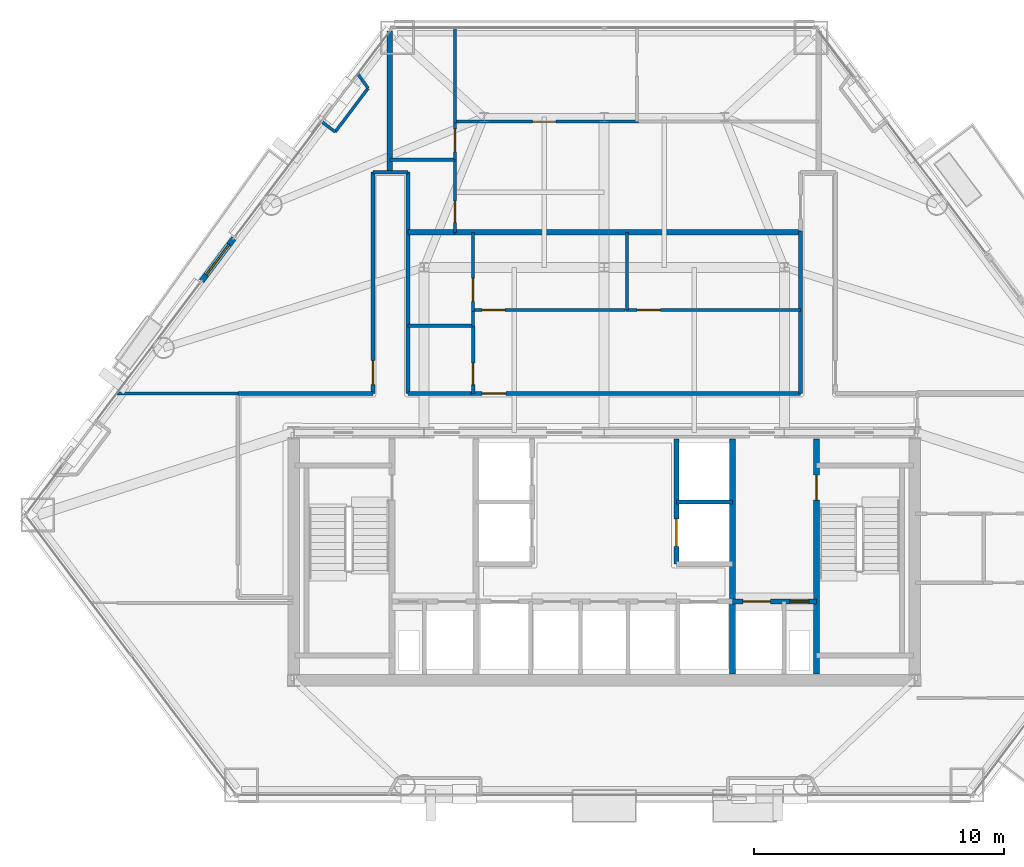
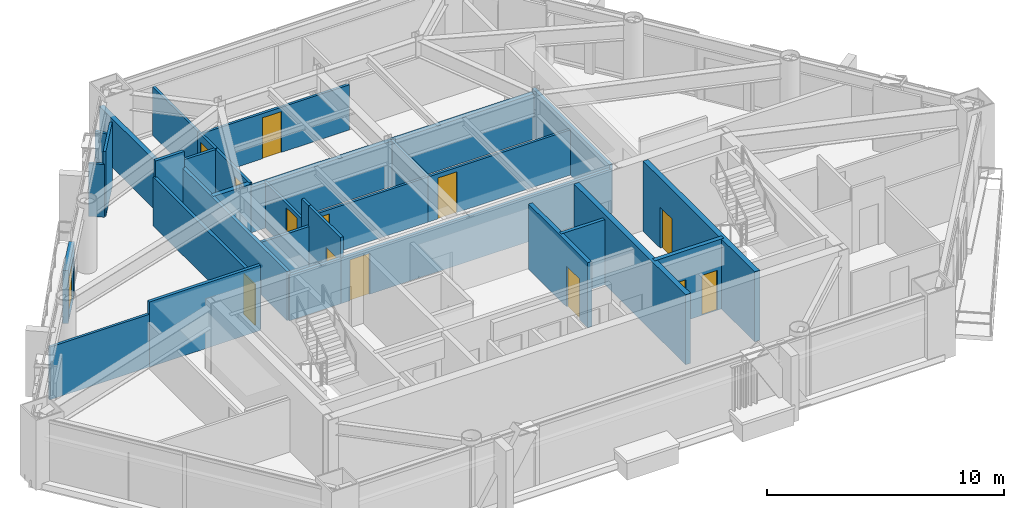
# One storey, part 7 of 11: 32 walls, 14 doors, 14 openings.
"""IFC4 building model written with IfcOpenShell, lengths in metres."""

from ifc_helpers import new_model, si_unit, direction, frame, frame_2d, origin, place, context, subcontext, project, spatial, rectangle, extrude, material, layer, layer_set, type_object, element, fill, save


model = new_model("IFC4")

# Units and contexts
model_context = context("Model", 3, precision=1e-05, world=origin(), true_north=direction((0.0, 1.0)))
body_context = subcontext(model_context, "Body", "Model", "MODEL_VIEW")
ifc_project = project(units=[si_unit("LENGTHUNIT", "METRE"), si_unit("AREAUNIT", "SQUARE_METRE"), si_unit("VOLUMEUNIT", "CUBIC_METRE"), si_unit("PLANEANGLEUNIT", "RADIAN"), si_unit("MASSUNIT", "GRAM", prefix="KILO")], contexts=[model_context])

# Site, building, storey
site_placement = place(None, origin())
site = spatial("IfcSite", under=ifc_project, at=site_placement, CompositionType="ELEMENT")
building_placement = place(site_placement, origin())
building = spatial("IfcBuilding", under=site, at=building_placement, Name="Talgorran Terracotta Tower", CompositionType="ELEMENT")
storey_placement = place(building_placement, frame((0.0, 0.0, 27.89990234375)))
storey = spatial("IfcBuildingStorey", under=building, at=storey_placement, Name="L06", CompositionType="ELEMENT", Elevation=27.89990234375)

# Wall, opening, door
ifc_material_1 = material(Name="Concrete C40/50", Category="concrete")
ifc_layer_1 = layer(ifc_material_1, 0.239990234375, Name="WT_BALCONY_SPAND")
ifc_layer_set_1 = layer_set([ifc_layer_1], Name="Concrete C40/50")
wall_type_1 = type_object("IfcWallType", Name="WT_BALCONY_SPAND", PredefinedType="STANDARD", material=ifc_layer_set_1)
wall_1_placement = place(storey_placement, frame((-14.799560546875, 3.560791015625, -0.014892578125), z_axis=(0.0, 0.0, 1.0), x_axis=(-0.601823875366, -0.798628839349, 0.0)))
wall_1 = element("IfcWall", 1, at=wall_1_placement, inside=storey, type_object=wall_type_1, Name="WL-L06-BALP-BAL-NW", PredefinedType="STANDARD", context=body_context, shape_type="SweptSolid", body=[
    extrude(rectangle(XDim=2.139892578125, YDim=0.239990234375, at=frame_2d((1.06982421875, 0.0))), origin(), (0.0, 0.0, 1.0), 2.728271484375),
])
opening_1_placement = place(wall_1_placement, frame((0.320068359375, 0.0, 0.014892578125)))
opening_1 = element("IfcOpeningElement", 2, at=opening_1_placement, cuts=wall_1, Name="Opening D-BAL-L06-2", PredefinedType="OPENING", context=body_context, shape_type="SweptSolid", body=[
    extrude(rectangle(XDim=1.506, YDim=2.203951171875, at=frame_2d((0.75, 1.10205078125))), frame((0.0, 0.1298828125, 0.0), z_axis=(0.0, -1.0, 0.0), x_axis=(1.0, 0.0, 0.0)), (0.0, 0.0, 1.0), 0.260009765625),
])
ifc_material_2 = material(Name="Thermally Broken Aluminium", Category="aluminium")
door_type_1 = type_object("IfcDoorType", Name="DT_BALC_1500", OperationType="SLIDING_TO_RIGHT", PredefinedType="DOOR", material=ifc_material_2)
door_1_placement = place(opening_1_placement, origin())
door_1 = element("IfcDoor", 3, at=door_1_placement, inside=storey, type_object=door_type_1, Name="DR-L06-BAL-BAL-NW", OperationType="SLIDING_TO_RIGHT", OverallHeight=2.199951171875, OverallWidth=1.5, PredefinedType="DOOR", context=body_context, shape_type="SweptSolid", body=[
    extrude(rectangle(XDim=1.5, YDim=2.199951171875, at=frame_2d((0.75, 1.10009765625))), frame((0.0, 0.02490234375, 0.0), z_axis=(0.0, -1.0, 0.0), x_axis=(1.0, 0.0, 0.0)), (0.0, 0.0, 1.0), 0.050048828125),
])
fill(opening_1, door_1)

# Wall, openings, doors
ifc_material_3 = material(Name="Concrete C50/60", Category="concrete")
ifc_layer_2 = layer(ifc_material_3, 0.199951171875, Name="WT_CORE_200")
ifc_layer_set_2 = layer_set([ifc_layer_2], Name="Concrete C50/60")
wall_type_2 = type_object("IfcWallType", Name="WT_CORE_200", PredefinedType="SOLIDWALL", material=ifc_layer_set_2)
wall_2_placement = place(storey_placement, frame((5.1201171875, -10.949951171875, 0.0), z_axis=(0.0, 0.0, 1.0), x_axis=(1.0, 0.0, 0.0)))
wall_2 = element("IfcWall", 4, at=wall_2_placement, inside=storey, type_object=wall_type_2, Name="WL-L06-CW-H-SBE", PredefinedType="SOLIDWALL", context=body_context, shape_type="SweptSolid", body=[
    extrude(rectangle(XDim=3.35986328125, YDim=0.199951171875, at=frame_2d((1.679931640625, 0.0))), origin(), (0.0, 0.0, 1.0), 3.60009765625),
])
opening_2_placement = place(wall_2_placement, frame((0.419921875, 0.0, 0.0)))
opening_2 = element("IfcOpeningElement", 5, at=opening_2_placement, cuts=wall_2, Name="Opening LD-FFL2", PredefinedType="OPENING", context=body_context, shape_type="SweptSolid", body=[
    extrude(rectangle(XDim=1.10609765625, YDim=2.10409765625, at=frame_2d((0.550048828125, 1.052001953125))), frame((0.0, 0.10986328125, 0.0), z_axis=(0.0, -1.0, 0.0), x_axis=(1.0, 0.0, 0.0)), (0.0, 0.0, 1.0), 0.219970703125),
])
opening_3_placement = place(wall_2_placement, frame((2.300048828125, 0.0, 0.0)))
opening_3 = element("IfcOpeningElement", 6, at=opening_3_placement, cuts=wall_2, Name="Opening DR-RSE", PredefinedType="OPENING", context=body_context, shape_type="SweptSolid", body=[
    extrude(rectangle(XDim=0.756, YDim=2.054048828125, at=frame_2d((0.375, 1.027099609375))), frame((0.0, 0.10986328125, 0.0), z_axis=(0.0, -1.0, 0.0), x_axis=(1.0, 0.0, 0.0)), (0.0, 0.0, 1.0), 0.219970703125),
])
ifc_material_4 = material(Name="Brushed Stainless Steel Grade 304", Category="steel")
door_type_2 = type_object("IfcDoorType", Name="DT_LIFT_LD1100", OperationType="DOUBLE_DOOR_SLIDING", PredefinedType="DOOR", material=ifc_material_4)
door_2_placement = place(opening_2_placement, origin())
door_2 = element("IfcDoor", 7, at=door_2_placement, inside=storey, type_object=door_type_2, Name="L06 Lift Landing Door LD-FFL2", OperationType="DOUBLE_DOOR_SLIDING", OverallHeight=2.10009765625, OverallWidth=1.10009765625, PredefinedType="DOOR", context=body_context, shape_type="SweptSolid", body=[
    extrude(rectangle(XDim=1.10009765625, YDim=2.10009765625, at=frame_2d((0.550048828125, 1.050048828125))), frame((0.0, 0.02490234375, 0.0), z_axis=(0.0, -1.0, 0.0), x_axis=(1.0, 0.0, 0.0)), (0.0, 0.0, 1.0), 0.050048828125),
])
fill(opening_2, door_2)
ifc_material_5 = material(Name="Fire-Rated Pressed Steel", Category="steel")
door_type_3 = type_object("IfcDoorType", Name="DT_RISER_750", OperationType="NOTDEFINED", PredefinedType="DOOR", material=ifc_material_5)
door_3_placement = place(opening_3_placement, origin())
door_3 = element("IfcDoor", 8, at=door_3_placement, inside=storey, type_object=door_type_3, Name="DR-RSE", OperationType="SINGLE_SWING_RIGHT", OverallHeight=2.050048828125, OverallWidth=0.75, PredefinedType="DOOR", context=body_context, shape_type="SweptSolid", body=[
    extrude(rectangle(XDim=0.75, YDim=2.050048828125, at=frame_2d((0.375, 1.02490234375))), frame((0.0, 0.02490234375, 0.0), z_axis=(0.0, -1.0, 0.0), x_axis=(1.0, 0.0, 0.0)), (0.0, 0.0, 1.0), 0.050048828125),
])
fill(opening_3, door_3)

# Wall, opening, door
wall_3_placement = place(storey_placement, frame((2.8798828125, -9.449951171875, 0.0), z_axis=(0.0, 0.0, 1.0), x_axis=(0.0, 1.0, 0.0)))
wall_3 = element("IfcWall", 9, at=wall_3_placement, inside=storey, type_object=wall_type_2, Name="WL-L06-CW-V-E3", PredefinedType="SOLIDWALL", context=body_context, shape_type="SweptSolid", body=[
    extrude(rectangle(XDim=5.0, YDim=0.199951171875, at=frame_2d((2.5, 0.0))), origin(), (0.0, 0.0, 1.0), 3.35009765625),
])
opening_4_placement = place(wall_3_placement, frame((0.699951171875, 0.0, 0.0)))
opening_4 = element("IfcOpeningElement", 10, at=opening_4_placement, cuts=wall_3, Name="Opening LD-PLM1", PredefinedType="OPENING", context=body_context, shape_type="SweptSolid", body=[
    extrude(rectangle(XDim=1.10609765625, YDim=2.10409765625, at=frame_2d((0.550048828125, 1.052001953125))), frame((0.0, 0.10986328125, 0.0), z_axis=(0.0, -1.0, 0.0), x_axis=(1.0, 0.0, 0.0)), (0.0, 0.0, 1.0), 0.219970703125),
])
door_4_placement = place(opening_4_placement, origin())
door_4 = element("IfcDoor", 11, at=door_4_placement, inside=storey, type_object=door_type_2, Name="L06 Lift Landing Door LD-PLM1", OperationType="DOUBLE_DOOR_SLIDING", OverallHeight=2.10009765625, OverallWidth=1.10009765625, PredefinedType="DOOR", context=body_context, shape_type="SweptSolid", body=[
    extrude(rectangle(XDim=1.10009765625, YDim=2.10009765625, at=frame_2d((0.550048828125, 1.050048828125))), frame((0.0, 0.02490234375, 0.0), z_axis=(0.0, -1.0, 0.0), x_axis=(1.0, 0.0, 0.0)), (0.0, 0.0, 1.0), 0.050048828125),
])
fill(opening_4, door_4)

ifc_layer_3 = layer(ifc_material_3, 0.25, Name="WT_CORE_250")
ifc_layer_set_3 = layer_set([ifc_layer_3], Name="Concrete C50/60")
wall_type_3 = type_object("IfcWallType", Name="WT_CORE_250", PredefinedType="SHEAR", material=ifc_layer_set_3)
wall_4_placement = place(storey_placement, frame((8.47998046875, -13.85009765625, 0.0), z_axis=(0.0, 0.0, 1.0), x_axis=(0.0, 1.0, 0.0)))
wall_4 = element("IfcWall", 12, at=wall_4_placement, inside=storey, type_object=wall_type_3, Name="WL-L06-CW-V-E1", PredefinedType="SHEAR", context=body_context, shape_type="SweptSolid", body=[
    extrude(rectangle(XDim=9.400146484375, YDim=0.25, at=frame_2d((4.7001953125, 0.0))), origin(), (0.0, 0.0, 1.0), 3.60009765625),
])
opening_5_placement = place(wall_4_placement, frame((6.949951171875, 0.0, 0.0)))
opening_5 = element("IfcOpeningElement", 13, at=opening_5_placement, cuts=wall_4, Name="Opening DR-ST02", PredefinedType="OPENING", context=body_context, shape_type="SweptSolid", body=[
    extrude(rectangle(XDim=1.006, YDim=2.10409765625, at=frame_2d((0.5, 1.052001953125))), frame((0.0, 0.135009765625, 0.0), z_axis=(0.0, -1.0, 0.0), x_axis=(1.0, 0.0, 0.0)), (0.0, 0.0, 1.0), 0.27001953125),
])
door_type_4 = type_object("IfcDoorType", Name="DT_FIRE_1000", OperationType="NOTDEFINED", PredefinedType="DOOR", material=ifc_material_5)
door_5_placement = place(opening_5_placement, origin())
door_5 = element("IfcDoor", 14, at=door_5_placement, inside=storey, type_object=door_type_4, Name="DR-ST02", OperationType="SINGLE_SWING_RIGHT", OverallHeight=2.10009765625, OverallWidth=1.0, PredefinedType="DOOR", context=body_context, shape_type="SweptSolid", body=[
    extrude(rectangle(XDim=1.0, YDim=2.10009765625, at=frame_2d((0.5, 1.050048828125))), frame((0.0, 0.02490234375, 0.0), z_axis=(0.0, -1.0, 0.0), x_axis=(1.0, 0.0, 0.0)), (0.0, 0.0, 1.0), 0.050048828125),
])
fill(opening_5, door_5)

# Wall
wall_5_placement = place(storey_placement, frame((5.1201171875, -13.85009765625, 0.0), z_axis=(0.0, 0.0, 1.0), x_axis=(0.0, 1.0, 0.0)))
element("IfcWall", 15, at=wall_5_placement, inside=storey, type_object=wall_type_3, Name="WL-L06-CW-V-E2", PredefinedType="SHEAR", context=body_context, shape_type="SweptSolid", body=[
    extrude(rectangle(XDim=9.400146484375, YDim=0.25, at=frame_2d((4.7001953125, 0.0))), origin(), (0.0, 0.0, 1.0), 3.60009765625),
])

# Wall, opening, door
ifc_material_6 = material(Name="Fire-Rated Steel Stud Plasterboard", Category="steel")
ifc_layer_4 = layer(ifc_material_6, 0.14990234375, Name="WT_FIRE_150")
ifc_layer_set_4 = layer_set([ifc_layer_4], Name="Fire-Rated Steel Stud Plasterboard")
wall_type_4 = type_object("IfcWallType", Name="WT_FIRE_150", PredefinedType="PARTITIONING", material=ifc_layer_set_4)
wall_6_placement = place(storey_placement, frame((-5.320068359375, -2.639892578125, 0.0), z_axis=(0.0, 0.0, 1.0), x_axis=(1.0, 0.0, 0.0)))
wall_6 = element("IfcWall", 16, at=wall_6_placement, inside=storey, type_object=wall_type_4, Name="WL-L06-W-L06-R10", PredefinedType="PARTITIONING", context=body_context, shape_type="SweptSolid", body=[
    extrude(rectangle(XDim=13.16015625, YDim=0.14990234375, at=frame_2d((6.580078125, 0.0))), origin(), (0.0, 0.0, 1.0), 2.3251953125),
])
opening_6_placement = place(wall_6_placement, frame((0.439208984375, 0.0, 0.0)))
opening_6 = element("IfcOpeningElement", 17, at=opening_6_placement, cuts=wall_6, Name="Opening DR-L06-R11", PredefinedType="OPENING", context=body_context, shape_type="SweptSolid", body=[
    extrude(rectangle(XDim=0.955951171875, YDim=2.10409765625, at=frame_2d((0.47509765625, 1.052001953125))), frame((0.0, 0.0849609375, 0.0), z_axis=(0.0, -1.0, 0.0), x_axis=(1.0, 0.0, 0.0)), (0.0, 0.0, 1.0), 0.169921875),
])
ifc_material_7 = material(Name="Fire-Rated Timber Core", Category="wood")
door_type_5 = type_object("IfcDoorType", Name="DT_FIRE_950", OperationType="NOTDEFINED", PredefinedType="DOOR", material=ifc_material_7)
door_6_placement = place(opening_6_placement, origin())
door_6 = element("IfcDoor", 18, at=door_6_placement, inside=storey, type_object=door_type_5, Name="DR-L06-R11", OperationType="SINGLE_SWING_LEFT", OverallHeight=2.10009765625, OverallWidth=0.949951171875, PredefinedType="DOOR", context=body_context, shape_type="SweptSolid", body=[
    extrude(rectangle(XDim=0.949951171875, YDim=2.10009765625, at=frame_2d((0.47509765625, 1.050048828125))), frame((0.0, 0.02490234375, 0.0), z_axis=(0.0, -1.0, 0.0), x_axis=(1.0, 0.0, 0.0)), (0.0, 0.0, 1.0), 0.050048828125),
])
fill(opening_6, door_6)

wall_7_placement = place(storey_placement, frame((-9.239990234375, -2.639892578125, 0.0), z_axis=(0.0, 0.0, 1.0), x_axis=(0.0, 1.0, 0.0)))
wall_7 = element("IfcWall", 19, at=wall_7_placement, inside=storey, type_object=wall_type_4, Name="WL-L06-W-L06-R05", PredefinedType="PARTITIONING", context=body_context, shape_type="SweptSolid", body=[
    extrude(rectangle(XDim=8.83984375, YDim=0.14990234375, at=frame_2d((4.419921875, 0.0))), origin(), (0.0, 0.0, 1.0), 2.509033203125),
])
opening_7_placement = place(wall_7_placement, frame((0.359130859375, 0.0, 0.0)))
opening_7 = element("IfcOpeningElement", 20, at=opening_7_placement, cuts=wall_7, Name="Opening DR-L06-R08", PredefinedType="OPENING", context=body_context, shape_type="SweptSolid", body=[
    extrude(rectangle(XDim=0.955951171875, YDim=2.10409765625, at=frame_2d((0.47509765625, 1.052001953125))), frame((0.0, 0.0849609375, 0.0), z_axis=(0.0, -1.0, 0.0), x_axis=(1.0, 0.0, 0.0)), (0.0, 0.0, 1.0), 0.169921875),
])
door_7_placement = place(opening_7_placement, origin())
door_7 = element("IfcDoor", 21, at=door_7_placement, inside=storey, type_object=door_type_5, Name="DR-L06-R08", OperationType="SINGLE_SWING_RIGHT", OverallHeight=2.10009765625, OverallWidth=0.949951171875, PredefinedType="DOOR", context=body_context, shape_type="SweptSolid", body=[
    extrude(rectangle(XDim=0.949951171875, YDim=2.10009765625, at=frame_2d((0.47509765625, 1.050048828125))), frame((0.0, 0.02490234375, 0.0), z_axis=(0.0, -1.0, 0.0), x_axis=(1.0, 0.0, 0.0)), (0.0, 0.0, 1.0), 0.050048828125),
])
fill(opening_7, door_7)

# Walls
wall_8_placement = place(storey_placement, frame((-14.639892578125, -2.639892578125, 0.0), z_axis=(0.0, 0.0, 1.0), x_axis=(1.0, 0.0, 0.0)))
element("IfcWall", 22, at=wall_8_placement, inside=storey, type_object=wall_type_4, Name="WL-L06-W-L06-R04", PredefinedType="PARTITIONING", context=body_context, shape_type="SweptSolid", body=[
    extrude(rectangle(XDim=5.39990234375, YDim=0.14990234375, at=frame_2d((2.699951171875, 0.0))), origin(), (0.0, 0.0, 1.0), 3.35009765625),
])
wall_9_placement = place(storey_placement, frame((-7.840087890625, -2.639892578125, 0.0), z_axis=(0.0, 0.0, 1.0), x_axis=(0.0, 1.0, 0.0)))
element("IfcWall", 23, at=wall_9_placement, inside=storey, type_object=wall_type_4, Name="WL-L06-W-L06-R09", PredefinedType="PARTITIONING", context=body_context, shape_type="SweptSolid", body=[
    extrude(rectangle(XDim=8.83984375, YDim=0.14990234375, at=frame_2d((4.419921875, 0.0))), origin(), (0.0, 0.0, 1.0), 2.509033203125),
])
wall_10_placement = place(storey_placement, frame((7.840087890625, -2.639892578125, 0.0), z_axis=(0.0, 0.0, 1.0), x_axis=(0.0, 1.0, 0.0)))
element("IfcWall", 24, at=wall_10_placement, inside=storey, type_object=wall_type_4, Name="WL-L06-W-L06-R11", PredefinedType="PARTITIONING", context=body_context, shape_type="SweptSolid", body=[
    extrude(rectangle(XDim=6.5, YDim=0.14990234375, at=frame_2d((3.25, 0.0))), origin(), (0.0, 0.0, 1.0), 2.509033203125),
])
wall_11_placement = place(storey_placement, frame((-7.840087890625, -2.639892578125, 0.0), z_axis=(0.0, 0.0, 1.0), x_axis=(1.0, 0.0, 0.0)))
element("IfcWall", 25, at=wall_11_placement, inside=storey, type_object=wall_type_4, Name="WL-L06-W-L06-R08", PredefinedType="PARTITIONING", context=body_context, shape_type="SweptSolid", body=[
    extrude(rectangle(XDim=2.51806640625, YDim=0.14990234375, at=frame_2d((1.259033203125, 0.0))), origin(), (0.0, 0.0, 1.0), 2.3251953125),
])
wall_12_placement = place(storey_placement, frame((-9.239990234375, 6.199951171875, 0.0), z_axis=(0.0, 0.0, 1.0), x_axis=(1.0, 0.0, 0.0)))
element("IfcWall", 26, at=wall_12_placement, inside=storey, type_object=wall_type_4, Name="WL-L06-W-L06-R13", PredefinedType="PARTITIONING", context=body_context, shape_type="SweptSolid", body=[
    extrude(rectangle(XDim=1.39990234375, YDim=0.14990234375, at=frame_2d((0.699951171875, 0.0))), origin(), (0.0, 0.0, 1.0), 3.35009765625),
])
ifc_material_8 = material(Name="Acoustic Masonry and Plasterboard", Category="masonry")
ifc_layer_5 = layer(ifc_material_8, 0.219970703125, Name="WT_PARTY_220")
ifc_layer_set_5 = layer_set([ifc_layer_5], Name="Acoustic Masonry and Plasterboard")
wall_type_5 = type_object("IfcWallType", Name="WT_PARTY_220", PredefinedType="PARTITIONING", material=ifc_layer_set_5)
wall_13_placement = place(storey_placement, frame((-6.0, 3.800048828125, 0.0), z_axis=(0.0, 0.0, 1.0), x_axis=(1.0, 0.0, 0.0)))
element("IfcWall", 27, at=wall_13_placement, inside=storey, type_object=wall_type_5, Name="WL-L06-W-L06-R44", PredefinedType="PARTITIONING", context=body_context, shape_type="SweptSolid", body=[
    extrude(rectangle(XDim=13.840087890625, YDim=0.219970703125, at=frame_2d((6.919921875, 0.0))), origin(), (0.0, 0.0, 1.0), 2.3251953125),
])
wall_14_placement = place(storey_placement, frame((-8.56005859375, 6.199951171875, 0.0), z_axis=(0.0, 0.0, 1.0), x_axis=(0.0, 1.0, 0.0)))
element("IfcWall", 28, at=wall_14_placement, inside=storey, type_object=wall_type_5, Name="WL-L06-W-L06-R33", PredefinedType="PARTITIONING", context=body_context, shape_type="SweptSolid", body=[
    extrude(rectangle(XDim=5.64111328125, YDim=0.219970703125, at=frame_2d((2.820556640625, 0.0))), origin(), (0.0, 0.0, 1.0), 2.509033203125),
])
wall_15_placement = place(storey_placement, frame((-7.840087890625, 3.800048828125, 0.0), z_axis=(0.0, 0.0, 1.0), x_axis=(1.0, 0.0, 0.0)))
element("IfcWall", 29, at=wall_15_placement, inside=storey, type_object=wall_type_5, Name="WL-L06-W-L06-R38", PredefinedType="PARTITIONING", context=body_context, shape_type="SweptSolid", body=[
    extrude(rectangle(XDim=1.838134765625, YDim=0.219970703125, at=frame_2d((0.9189453125, 0.0))), origin(), (0.0, 0.0, 1.0), 2.509033203125),
])

# Wall, opening, door
ifc_material_9 = material(Name="Insulated Steel Stud Plasterboard", Category="steel")
ifc_layer_6 = layer(ifc_material_9, 0.1201171875, Name="WT_PART_120")
ifc_layer_set_6 = layer_set([ifc_layer_6], Name="Insulated Steel Stud Plasterboard")
wall_type_6 = type_object("IfcWallType", Name="WT_PART_120", PredefinedType="PARTITIONING", material=ifc_layer_set_6)
wall_16_placement = place(storey_placement, frame((-5.9599609375, 8.219970703125, 0.0), z_axis=(0.0, 0.0, 1.0), x_axis=(1.0, 0.0, 0.0)))
wall_16 = element("IfcWall", 30, at=wall_16_placement, inside=storey, type_object=wall_type_6, Name="WL-L06-W-L06-R49", PredefinedType="PARTITIONING", context=body_context, shape_type="SweptSolid", body=[
    extrude(rectangle(XDim=7.320068359375, YDim=0.1201171875, at=frame_2d((3.66015625, 0.0))), origin(), (0.0, 0.0, 1.0), 2.3251953125),
])
opening_8_placement = place(wall_16_placement, frame((3.1005859375, 0.0, 0.0)))
opening_8 = element("IfcOpeningElement", 31, at=opening_8_placement, cuts=wall_16, Name="Opening DR-L06-R17", PredefinedType="OPENING", context=body_context, shape_type="SweptSolid", body=[
    extrude(rectangle(XDim=0.925921875, YDim=2.10409765625, at=frame_2d((0.4599609375, 1.052001953125))), frame((0.0, 0.070068359375, 0.0), z_axis=(0.0, -1.0, 0.0), x_axis=(1.0, 0.0, 0.0)), (0.0, 0.0, 1.0), 0.14013671875),
])
ifc_material_10 = material(Name="Solid-Core Painted Timber", Category="wood")
door_type_6 = type_object("IfcDoorType", Name="DT_INT_920", OperationType="NOTDEFINED", PredefinedType="DOOR", material=ifc_material_10)
door_8_placement = place(opening_8_placement, origin())
door_8 = element("IfcDoor", 32, at=door_8_placement, inside=storey, type_object=door_type_6, Name="DR-L06-R17", OperationType="SINGLE_SWING_LEFT", OverallHeight=2.10009765625, OverallWidth=0.919921875, PredefinedType="DOOR", context=body_context, shape_type="SweptSolid", body=[
    extrude(rectangle(XDim=0.919921875, YDim=2.10009765625, at=frame_2d((0.4599609375, 1.050048828125))), frame((0.0, 0.02490234375, 0.0), z_axis=(0.0, -1.0, 0.0), x_axis=(1.0, 0.0, 0.0)), (0.0, 0.0, 1.0), 0.050048828125),
])
fill(opening_8, door_8)

wall_17_placement = place(storey_placement, frame((0.840087890625, 0.699951171875, 0.0), z_axis=(0.0, 0.0, 1.0), x_axis=(1.0, 0.0, 0.0)))
wall_17 = element("IfcWall", 33, at=wall_17_placement, inside=storey, type_object=wall_type_6, Name="WL-L06-W-L06-R41", PredefinedType="PARTITIONING", context=body_context, shape_type="SweptSolid", body=[
    extrude(rectangle(XDim=7.0, YDim=0.1201171875, at=frame_2d((3.5, 0.0))), origin(), (0.0, 0.0, 1.0), 2.3251953125),
])
opening_9_placement = place(wall_17_placement, frame((0.4775390625, 0.0, 0.0)))
opening_9 = element("IfcOpeningElement", 34, at=opening_9_placement, cuts=wall_17, Name="Opening DR-L06-R13", PredefinedType="OPENING", context=body_context, shape_type="SweptSolid", body=[
    extrude(rectangle(XDim=0.925921875, YDim=2.10409765625, at=frame_2d((0.4599609375, 1.052001953125))), frame((0.0, 0.070068359375, 0.0), z_axis=(0.0, -1.0, 0.0), x_axis=(1.0, 0.0, 0.0)), (0.0, 0.0, 1.0), 0.14013671875),
])
door_9_placement = place(opening_9_placement, origin())
door_9 = element("IfcDoor", 35, at=door_9_placement, inside=storey, type_object=door_type_6, Name="DR-L06-R13", OperationType="SINGLE_SWING_LEFT", OverallHeight=2.10009765625, OverallWidth=0.919921875, PredefinedType="DOOR", context=body_context, shape_type="SweptSolid", body=[
    extrude(rectangle(XDim=0.919921875, YDim=2.10009765625, at=frame_2d((0.4599609375, 1.050048828125))), frame((0.0, 0.02490234375, 0.0), z_axis=(0.0, -1.0, 0.0), x_axis=(1.0, 0.0, 0.0)), (0.0, 0.0, 1.0), 0.050048828125),
])
fill(opening_9, door_9)

wall_18_placement = place(storey_placement, frame((-5.239990234375, 0.699951171875, 0.0), z_axis=(0.0, 0.0, 1.0), x_axis=(1.0, 0.0, 0.0)))
wall_18 = element("IfcWall", 36, at=wall_18_placement, inside=storey, type_object=wall_type_6, Name="WL-L06-W-L06-R40", PredefinedType="PARTITIONING", context=body_context, shape_type="SweptSolid", body=[
    extrude(rectangle(XDim=6.077880859375, YDim=0.1201171875, at=frame_2d((3.0390625, 0.0))), origin(), (0.0, 0.0, 1.0), 2.3251953125),
])
opening_10_placement = place(wall_18_placement, frame((0.358154296875, 0.0, 0.0)))
opening_10 = element("IfcOpeningElement", 37, at=opening_10_placement, cuts=wall_18, Name="Opening DR-L06-R12", PredefinedType="OPENING", context=body_context, shape_type="SweptSolid", body=[
    extrude(rectangle(XDim=0.925921875, YDim=2.10409765625, at=frame_2d((0.4599609375, 1.052001953125))), frame((0.0, 0.070068359375, 0.0), z_axis=(0.0, -1.0, 0.0), x_axis=(1.0, 0.0, 0.0)), (0.0, 0.0, 1.0), 0.14013671875),
])
door_10_placement = place(opening_10_placement, origin())
door_10 = element("IfcDoor", 38, at=door_10_placement, inside=storey, type_object=door_type_6, Name="DR-L06-R12", OperationType="SINGLE_SWING_RIGHT", OverallHeight=2.10009765625, OverallWidth=0.919921875, PredefinedType="DOOR", context=body_context, shape_type="SweptSolid", body=[
    extrude(rectangle(XDim=0.919921875, YDim=2.10009765625, at=frame_2d((0.4599609375, 1.050048828125))), frame((0.0, 0.02490234375, 0.0), z_axis=(0.0, -1.0, 0.0), x_axis=(1.0, 0.0, 0.0)), (0.0, 0.0, 1.0), 0.050048828125),
])
fill(opening_10, door_10)

# Walls
wall_19_placement = place(storey_placement, frame((-19.472412109375, -2.639892578125, 0.0), z_axis=(0.0, 0.0, 1.0), x_axis=(1.0, 0.0, 0.0)))
element("IfcWall", 39, at=wall_19_placement, inside=storey, type_object=wall_type_6, Name="WL-L06-W-L06-R21", PredefinedType="PARTITIONING", context=body_context, shape_type="SweptSolid", body=[
    extrude(rectangle(XDim=4.83251953125, YDim=0.1201171875, at=frame_2d((2.416259765625, 0.0))), origin(), (0.0, 0.0, 1.0), 2.71337890625),
])
wall_20_placement = place(storey_placement, frame((-5.9599609375, 8.159912109375, 0.0), z_axis=(0.0, 0.0, 1.0), x_axis=(0.0, 1.0, 0.0)))
element("IfcWall", 40, at=wall_20_placement, inside=storey, type_object=wall_type_6, Name="WL-L06-W-L06-R48", PredefinedType="PARTITIONING", context=body_context, shape_type="SweptSolid", body=[
    extrude(rectangle(XDim=3.810546875, YDim=0.1201171875, at=frame_2d((1.9052734375, 0.0))), origin(), (0.0, 0.0, 1.0), 2.509033203125),
])

# Wall, opening, door
wall_21_placement = place(storey_placement, frame((-5.239990234375, 0.639892578125, 0.0), z_axis=(0.0, 0.0, 1.0), x_axis=(0.0, 1.0, 0.0)))
wall_21 = element("IfcWall", 41, at=wall_21_placement, inside=storey, type_object=wall_type_6, Name="WL-L06-W-L06-R37", PredefinedType="PARTITIONING", context=body_context, shape_type="SweptSolid", body=[
    extrude(rectangle(XDim=3.16015625, YDim=0.1201171875, at=frame_2d((1.580078125, 0.0))), origin(), (0.0, 0.0, 1.0), 2.3251953125),
])
opening_11_placement = place(wall_21_placement, frame((0.39990234375, 0.0, 0.0)))
opening_11 = element("IfcOpeningElement", 42, at=opening_11_placement, cuts=wall_21, Name="Opening DR-L06-R10", PredefinedType="OPENING", context=body_context, shape_type="SweptSolid", body=[
    extrude(rectangle(XDim=0.925921875, YDim=2.10409765625, at=frame_2d((0.4599609375, 1.052001953125))), frame((0.0, 0.070068359375, 0.0), z_axis=(0.0, -1.0, 0.0), x_axis=(1.0, 0.0, 0.0)), (0.0, 0.0, 1.0), 0.14013671875),
])
door_11_placement = place(opening_11_placement, origin())
door_11 = element("IfcDoor", 43, at=door_11_placement, inside=storey, type_object=door_type_6, Name="DR-L06-R10", OperationType="SINGLE_SWING_RIGHT", OverallHeight=2.10009765625, OverallWidth=0.919921875, PredefinedType="DOOR", context=body_context, shape_type="SweptSolid", body=[
    extrude(rectangle(XDim=0.919921875, YDim=2.10009765625, at=frame_2d((0.4599609375, 1.050048828125))), frame((0.0, 0.02490234375, 0.0), z_axis=(0.0, -1.0, 0.0), x_axis=(1.0, 0.0, 0.0)), (0.0, 0.0, 1.0), 0.050048828125),
])
fill(opening_11, door_11)

# Walls
wall_22_placement = place(storey_placement, frame((0.89990234375, 0.699951171875, 0.0), z_axis=(0.0, 0.0, 1.0), x_axis=(0.0, 1.0, 0.0)))
element("IfcWall", 44, at=wall_22_placement, inside=storey, type_object=wall_type_6, Name="WL-L06-W-L06-R42", PredefinedType="PARTITIONING", context=body_context, shape_type="SweptSolid", body=[
    extrude(rectangle(XDim=3.10009765625, YDim=0.1201171875, at=frame_2d((1.550048828125, 0.0))), origin(), (0.0, 0.0, 1.0), 2.3251953125),
])
wall_23_placement = place(storey_placement, frame((-9.43408203125, 9.551025390625, 0.0), z_axis=(0.0, 0.0, 1.0), x_axis=(-0.601897859726, -0.798573081475, 0.0)))
element("IfcWall", 45, at=wall_23_placement, inside=storey, type_object=wall_type_6, Name="WL-L06-BW-L06-14", PredefinedType="PARTITIONING", context=body_context, shape_type="SweptSolid", body=[
    extrude(rectangle(XDim=2.1796875, YDim=0.1201171875, at=frame_2d((1.08984375, 0.0))), origin(), (0.0, 0.0, 1.0), 3.35009765625),
])

# Wall, opening, door
wall_24_placement = place(storey_placement, frame((-5.9599609375, 6.699951171875, 0.0), z_axis=(0.0, 0.0, 1.0), x_axis=(0.0, 1.0, 0.0)))
wall_24 = element("IfcWall", 46, at=wall_24_placement, inside=storey, type_object=wall_type_6, Name="WL-L06-W-L06-R47", PredefinedType="PARTITIONING", context=body_context, shape_type="SweptSolid", body=[
    extrude(rectangle(XDim=1.4580078125, YDim=0.1201171875, at=frame_2d((0.72900390625, 0.0))), origin(), (0.0, 0.0, 1.0), 2.509033203125),
])
opening_12_placement = place(wall_24_placement, frame((0.310791015625, 0.0, 0.0)))
opening_12 = element("IfcOpeningElement", 47, at=opening_12_placement, cuts=wall_24, Name="Opening DR-L06-R15", PredefinedType="OPENING", context=body_context, shape_type="SweptSolid", body=[
    extrude(rectangle(XDim=0.925921875, YDim=2.10409765625, at=frame_2d((0.4599609375, 1.052001953125))), frame((0.0, 0.070068359375, 0.0), z_axis=(0.0, -1.0, 0.0), x_axis=(1.0, 0.0, 0.0)), (0.0, 0.0, 1.0), 0.14013671875),
])
door_12_placement = place(opening_12_placement, origin())
door_12 = element("IfcDoor", 48, at=door_12_placement, inside=storey, type_object=door_type_6, Name="DR-L06-R15", OperationType="SINGLE_SWING_LEFT", OverallHeight=2.10009765625, OverallWidth=0.919921875, PredefinedType="DOOR", context=body_context, shape_type="SweptSolid", body=[
    extrude(rectangle(XDim=0.919921875, YDim=2.10009765625, at=frame_2d((0.4599609375, 1.050048828125))), frame((0.0, 0.02490234375, 0.0), z_axis=(0.0, -1.0, 0.0), x_axis=(1.0, 0.0, 0.0)), (0.0, 0.0, 1.0), 0.050048828125),
])
fill(opening_12, door_12)

# Walls
wall_25_placement = place(storey_placement, frame((-9.8408203125, 10.125, 0.0), z_axis=(0.0, 0.0, 1.0), x_axis=(0.5781810232, -0.815908514732, 0.0)))
element("IfcWall", 49, at=wall_25_placement, inside=storey, type_object=wall_type_6, Name="WL-L06-BW-L06-13", PredefinedType="PARTITIONING", context=body_context, shape_type="SweptSolid", body=[
    extrude(rectangle(XDim=0.703369140625, YDim=0.1201171875, at=frame_2d((0.3515625, 0.0))), origin(), (0.0, 0.0, 1.0), 2.71337890625),
])
wall_26_placement = place(storey_placement, frame((-5.239990234375, 0.06005859375, 0.0), z_axis=(0.0, 0.0, 1.0), x_axis=(0.0, 1.0, 0.0)))
element("IfcWall", 50, at=wall_26_placement, inside=storey, type_object=wall_type_6, Name="WL-L06-W-L06-R36", PredefinedType="PARTITIONING", context=body_context, shape_type="SweptSolid", body=[
    extrude(rectangle(XDim=0.577880859375, YDim=0.1201171875, at=frame_2d((0.2890625, 0.0))), origin(), (0.0, 0.0, 1.0), 3.35009765625),
])
wall_27_placement = place(storey_placement, frame((-10.74609375, 7.810302734375, 0.0), z_axis=(0.0, 0.0, 1.0), x_axis=(-0.798641978857, 0.601806438655, 0.0)))
element("IfcWall", 51, at=wall_27_placement, inside=storey, type_object=wall_type_6, Name="WL-L06-BW-L06-15", PredefinedType="PARTITIONING", context=body_context, shape_type="SweptSolid", body=[
    extrude(rectangle(XDim=0.669677734375, YDim=0.1201171875, at=frame_2d((0.3349609375, 0.0))), origin(), (0.0, 0.0, 1.0), 2.71337890625),
])

# Wall, opening, door
ifc_material_11 = material(Name="Moisture-Resistant Stud Wall")
ifc_layer_7 = layer(ifc_material_11, 0.135009765625, Name="WT_PART_135")
ifc_layer_set_7 = layer_set([ifc_layer_7], Name="Moisture-Resistant Stud Wall")
wall_type_7 = type_object("IfcWallType", Name="WT_PART_135", PredefinedType="PARTITIONING", material=ifc_layer_set_7)
wall_28_placement = place(storey_placement, frame((-5.9599609375, 3.800048828125, 0.0), z_axis=(0.0, 0.0, 1.0), x_axis=(0.0, 1.0, 0.0)))
wall_28 = element("IfcWall", 52, at=wall_28_placement, inside=storey, type_object=wall_type_7, Name="WL-L06-W-L06-R46", PredefinedType="PARTITIONING", context=body_context, shape_type="SweptSolid", body=[
    extrude(rectangle(XDim=2.89990234375, YDim=0.135009765625, at=frame_2d((1.449951171875, 0.0))), origin(), (0.0, 0.0, 1.0), 2.509033203125),
])
opening_13_placement = place(wall_28_placement, frame((0.3955078125, 0.0, 0.0)))
opening_13 = element("IfcOpeningElement", 53, at=opening_13_placement, cuts=wall_28, Name="Opening DR-L06-R14", PredefinedType="OPENING", context=body_context, shape_type="SweptSolid", body=[
    extrude(rectangle(XDim=0.85609765625, YDim=2.10409765625, at=frame_2d((0.425048828125, 1.052001953125))), frame((0.0, 0.07763671875, 0.0), z_axis=(0.0, -1.0, 0.0), x_axis=(1.0, 0.0, 0.0)), (0.0, 0.0, 1.0), 0.155029296875),
])
ifc_material_12 = material(Name="Moisture-Resistant Solid Timber", Category="wood")
door_type_7 = type_object("IfcDoorType", Name="DT_INT_850", OperationType="NOTDEFINED", PredefinedType="DOOR", material=ifc_material_12)
door_13_placement = place(opening_13_placement, origin())
door_13 = element("IfcDoor", 54, at=door_13_placement, inside=storey, type_object=door_type_7, Name="DR-L06-R14", OperationType="SINGLE_SWING_RIGHT", OverallHeight=2.10009765625, OverallWidth=0.85009765625, PredefinedType="DOOR", context=body_context, shape_type="SweptSolid", body=[
    extrude(rectangle(XDim=0.85009765625, YDim=2.10009765625, at=frame_2d((0.425048828125, 1.050048828125))), frame((0.0, 0.02490234375, 0.0), z_axis=(0.0, -1.0, 0.0), x_axis=(1.0, 0.0, 0.0)), (0.0, 0.0, 1.0), 0.050048828125),
])
fill(opening_13, door_13)

wall_29_placement = place(storey_placement, frame((-5.239990234375, -2.639892578125, 0.0), z_axis=(0.0, 0.0, 1.0), x_axis=(0.0, 1.0, 0.0)))
wall_29 = element("IfcWall", 55, at=wall_29_placement, inside=storey, type_object=wall_type_7, Name="WL-L06-W-L06-R35", PredefinedType="PARTITIONING", context=body_context, shape_type="SweptSolid", body=[
    extrude(rectangle(XDim=2.699951171875, YDim=0.135009765625, at=frame_2d((1.35009765625, 0.0))), origin(), (0.0, 0.0, 1.0), 3.35009765625),
])
opening_14_placement = place(wall_29_placement, frame((0.355712890625, 0.0, 0.0)))
opening_14 = element("IfcOpeningElement", 56, at=opening_14_placement, cuts=wall_29, Name="Opening DR-L06-R09", PredefinedType="OPENING", context=body_context, shape_type="SweptSolid", body=[
    extrude(rectangle(XDim=0.85609765625, YDim=2.10409765625, at=frame_2d((0.425048828125, 1.052001953125))), frame((0.0, 0.07763671875, 0.0), z_axis=(0.0, -1.0, 0.0), x_axis=(1.0, 0.0, 0.0)), (0.0, 0.0, 1.0), 0.155029296875),
])
door_14_placement = place(opening_14_placement, origin())
door_14 = element("IfcDoor", 57, at=door_14_placement, inside=storey, type_object=door_type_7, Name="DR-L06-R09", OperationType="SINGLE_SWING_LEFT", OverallHeight=2.10009765625, OverallWidth=0.85009765625, PredefinedType="DOOR", context=body_context, shape_type="SweptSolid", body=[
    extrude(rectangle(XDim=0.85009765625, YDim=2.10009765625, at=frame_2d((0.425048828125, 1.050048828125))), frame((0.0, 0.02490234375, 0.0), z_axis=(0.0, -1.0, 0.0), x_axis=(1.0, 0.0, 0.0)), (0.0, 0.0, 1.0), 0.050048828125),
])
fill(opening_14, door_14)

# Walls
wall_30_placement = place(storey_placement, frame((-8.56005859375, 6.699951171875, 0.0), z_axis=(0.0, 0.0, 1.0), x_axis=(1.0, 0.0, 0.0)))
element("IfcWall", 58, at=wall_30_placement, inside=storey, type_object=wall_type_7, Name="WL-L06-W-L06-R45", PredefinedType="PARTITIONING", context=body_context, shape_type="SweptSolid", body=[
    extrude(rectangle(XDim=2.60009765625, YDim=0.135009765625, at=frame_2d((1.300048828125, 0.0))), origin(), (0.0, 0.0, 1.0), 2.509033203125),
])
wall_31_placement = place(storey_placement, frame((-7.840087890625, 0.06005859375, 0.0), z_axis=(0.0, 0.0, 1.0), x_axis=(1.0, 0.0, 0.0)))
element("IfcWall", 59, at=wall_31_placement, inside=storey, type_object=wall_type_7, Name="WL-L06-W-L06-R34", PredefinedType="PARTITIONING", context=body_context, shape_type="SweptSolid", body=[
    extrude(rectangle(XDim=2.60009765625, YDim=0.135009765625, at=frame_2d((1.300048828125, 0.0))), origin(), (0.0, 0.0, 1.0), 2.3251953125),
])
ifc_material_13 = material(Name="Fire-Rated Shaftwall")
ifc_layer_8 = layer(ifc_material_13, 0.159912109375, Name="WT_PART_150")
ifc_layer_set_8 = layer_set([ifc_layer_8], Name="Fire-Rated Shaftwall")
wall_type_8 = type_object("IfcWallType", Name="WT_PART_150", PredefinedType="PARTITIONING", material=ifc_layer_set_8)
wall_32_placement = place(storey_placement, frame((2.8798828125, -6.97998046875, 0.0), z_axis=(0.0, 0.0, 1.0), x_axis=(1.0, 0.0, 0.0)))
element("IfcWall", 60, at=wall_32_placement, inside=storey, type_object=wall_type_8, Name="WL-L06-CW-PLM-DIV", PredefinedType="PARTITIONING", context=body_context, shape_type="SweptSolid", body=[
    extrude(rectangle(XDim=2.240234375, YDim=0.159912109375, at=frame_2d((1.1201171875, 0.0))), origin(), (0.0, 0.0, 1.0), 3.35009765625),
])

save(model, "model.ifc")
